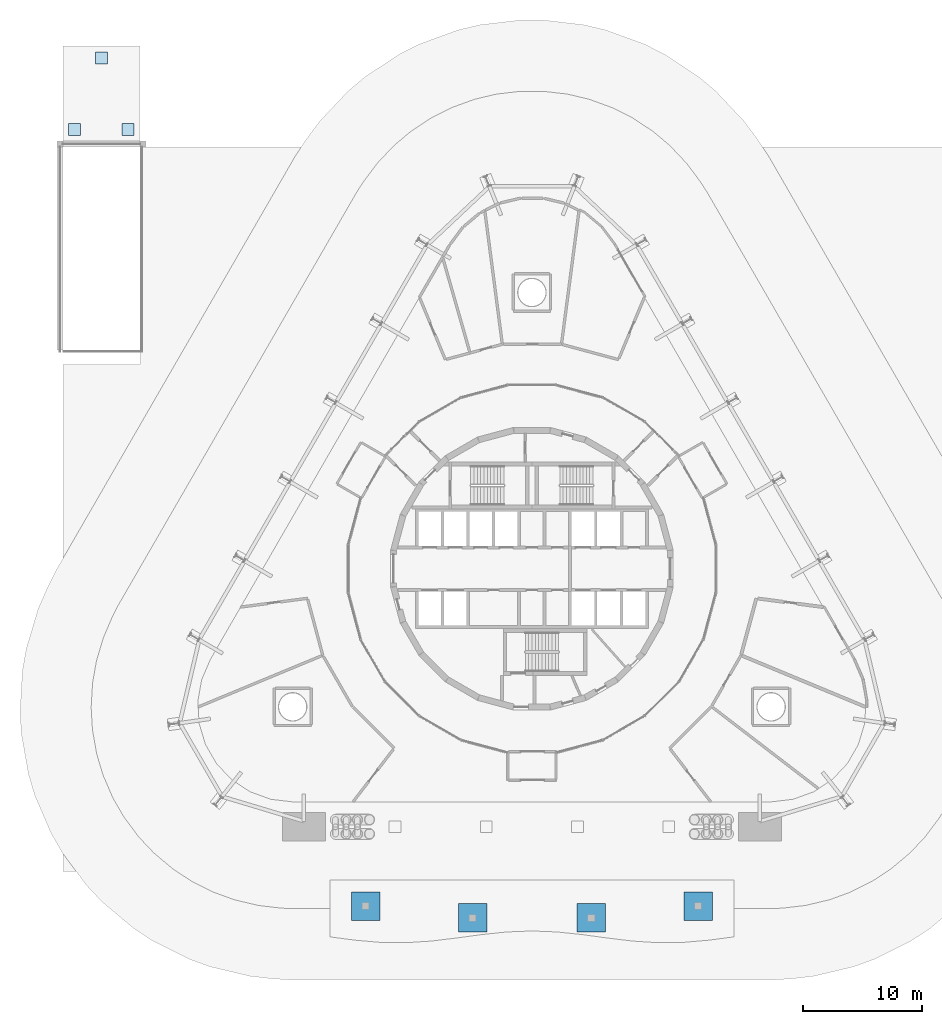
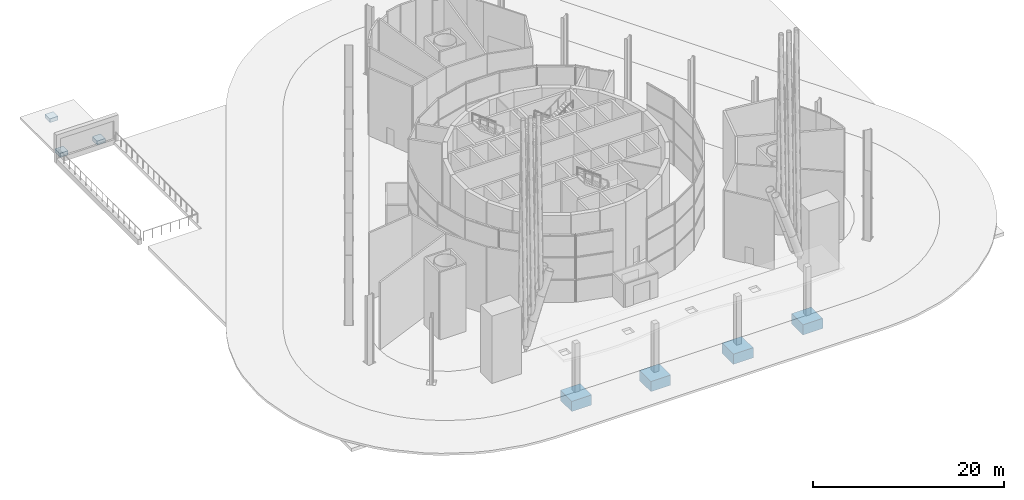
# One storey, part 1 of 21: 7 footings.
"""IFC4 building model written with IfcOpenShell, lengths in metres."""

from ifc_helpers import new_model, si_unit, direction, frame, origin, origin_2d, place, context, subcontext, project, spatial, rectangle, extrude, material, type_object, element, save


model = new_model("IFC4")

# Units and contexts
model_context = context("Model", 3, precision=1e-05, world=origin(), true_north=direction((0.0, 1.0)))
body_context = subcontext(model_context, "Body", "Model", "MODEL_VIEW")
ifc_project = project(units=[si_unit("LENGTHUNIT", "METRE"), si_unit("AREAUNIT", "SQUARE_METRE"), si_unit("VOLUMEUNIT", "CUBIC_METRE"), si_unit("PLANEANGLEUNIT", "RADIAN"), si_unit("MASSUNIT", "GRAM", prefix="KILO")], contexts=[model_context])

# Site, building, storey
site_placement = place(None, origin())
site = spatial("IfcSite", under=ifc_project, at=site_placement, CompositionType="ELEMENT")
building_placement = place(site_placement, origin())
building = spatial("IfcBuilding", under=site, at=building_placement, Name="Spindle Arch Residences", CompositionType="ELEMENT")
storey_placement = place(building_placement, origin())
storey = spatial("IfcBuildingStorey", under=building, at=storey_placement, Name="L00", CompositionType="ELEMENT", Elevation=0.0)

# Footings
ifc_material_1 = material(Name="Concrete C30/37", Category="concrete")
footing_type_1 = type_object("IfcFootingType", Name="Marquise pad footing 2400x2400", PredefinedType="PAD_FOOTING", material=ifc_material_1)
for number, where, z_axis, x_axis, name in (
    (1, (-14.0, -28.39990234375, -1.580078125), (0.0, 0.0, 1.0), (1.0, 0.0, 0.0), "Marquise pad footing 1"),
    (2, (-5.0, -29.39990234375, -1.580078125), (0.0, 0.0, 1.0), (1.0, 0.0, 0.0), "Marquise pad footing 2"),
    (3, (5.0, -29.39990234375, -1.580078125), (0.0, 0.0, 1.0), (1.0, 0.0, 0.0), "Marquise pad footing 3"),
    (4, (14.0, -28.39990234375, -1.580078125), (0.0, 0.0, 1.0), (1.0, 0.0, 0.0), "Marquise pad footing 4"),
):
    element("IfcFooting", number, at=place(storey_placement, frame(where, z_axis=z_axis, x_axis=x_axis)), inside=storey, type_object=footing_type_1, Name=name, PredefinedType="PAD_FOOTING", context=body_context, shape_type="SweptSolid", body=[
        extrude(rectangle(XDim=2.39990234375, YDim=2.39990234375, at=origin_2d()), origin(), (0.0, 0.0, 1.0), 1.300048828125),
    ])
ifc_material_2 = material(Name="Concrete C30/37", Category="concrete")
footing_type_2 = type_object("IfcFootingType", Name="Vehicle apron pad footing 1000", PredefinedType="PAD_FOOTING", material=ifc_material_2)
for number, where, z_axis, x_axis, name in (
    (5, (-38.5, 37.0, -0.780029296875), (0.0, 0.0, 1.0), (1.0, 0.0, 0.0), "Vehicle apron pad footing 1"),
    (6, (-34.0, 37.0, -0.780029296875), (0.0, 0.0, 1.0), (1.0, 0.0, 0.0), "Vehicle apron pad footing 2"),
    (7, (-36.25, 43.0, -0.780029296875), (0.0, 0.0, 1.0), (1.0, 0.0, 0.0), "Vehicle apron pad footing 3"),
):
    element("IfcFooting", number, at=place(storey_placement, frame(where, z_axis=z_axis, x_axis=x_axis)), inside=storey, type_object=footing_type_2, Name=name, PredefinedType="PAD_FOOTING", context=body_context, shape_type="SweptSolid", body=[
        extrude(rectangle(XDim=1.0, YDim=1.0, at=origin_2d()), origin(), (0.0, 0.0, 1.0), 0.5),
    ])

save(model, "model.ifc")
